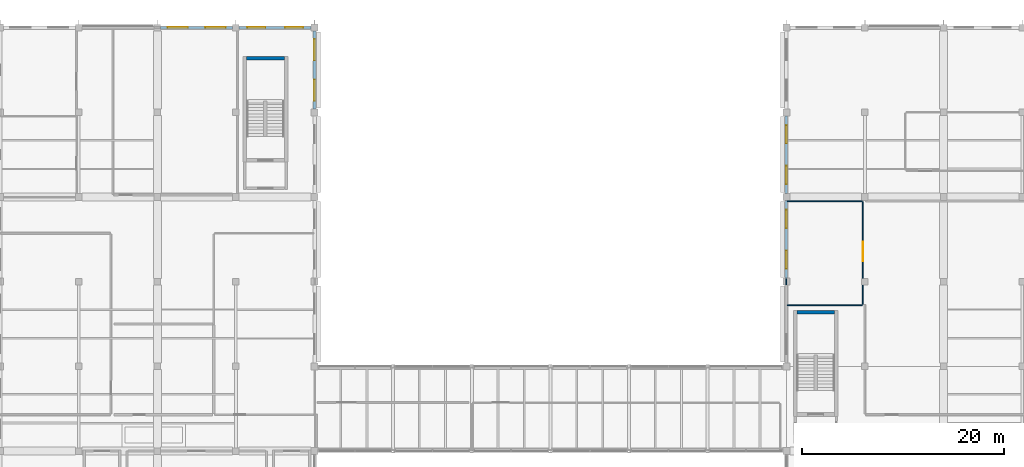
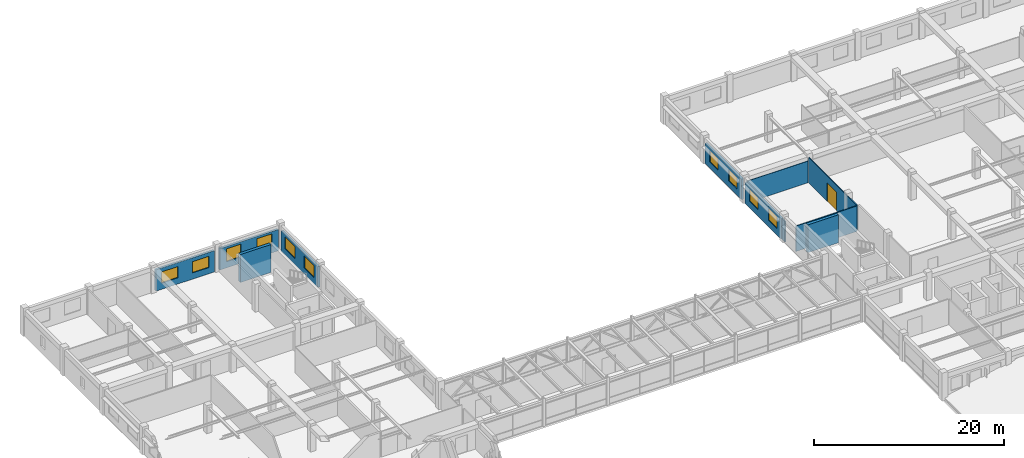
# One storey, part 44 of 49: 11 walls, 10 windows, 1 door, 11 openings.
"""IFC4 building model written with IfcOpenShell, lengths in metres."""

from ifc_helpers import new_model, si_unit, direction, frame, frame_2d, origin, place, context, subcontext, project, spatial, rectangle, extrude, material, layer, layer_set, type_object, element, fill, save


model = new_model("IFC4")

# Units and contexts
model_context = context("Model", 3, precision=1e-05, world=origin(), true_north=direction((0.0, 1.0)))
body_context = subcontext(model_context, "Body", "Model", "MODEL_VIEW")
ifc_project = project(units=[si_unit("LENGTHUNIT", "METRE"), si_unit("AREAUNIT", "SQUARE_METRE"), si_unit("VOLUMEUNIT", "CUBIC_METRE"), si_unit("PLANEANGLEUNIT", "RADIAN"), si_unit("MASSUNIT", "GRAM", prefix="KILO"), si_unit("THERMODYNAMICTEMPERATUREUNIT", "KELVIN"), si_unit("POWERUNIT", "WATT")], contexts=[model_context])

# Site, building, storey
site_placement = place(None, origin())
site = spatial("IfcSite", under=ifc_project, at=site_placement, CompositionType="ELEMENT")
building_placement = place(site_placement, origin())
building = spatial("IfcBuilding", under=site, at=building_placement, Name="Srebrne Nadtorze General Hospital", CompositionType="ELEMENT")
storey_placement = place(building_placement, frame((0.0, 0.0, 26.10009765625)))
storey = spatial("IfcBuildingStorey", under=building, at=storey_placement, Name="L06", CompositionType="ELEMENT", Elevation=26.10009765625)

# Wall, opening, door
ifc_material_1 = material(Name="Gypsum Healthcare Partition")
ifc_layer_1 = layer(ifc_material_1, 0.10009765625)
ifc_layer_set_1 = layer_set([ifc_layer_1], Name="Gypsum Healthcare Partition")
wall_type_1 = type_object("IfcWallType", Name="Shaft lining wall 100", PredefinedType="PARTITIONING", material=ifc_layer_set_1)
wall_1_placement = place(storey_placement, frame((109.0, 64.9599609375, 0.0), z_axis=(0.0, 0.0, 1.0), x_axis=(0.0, 1.0, 0.0)))
wall_1 = element("IfcWall", 1, at=wall_1_placement, inside=storey, type_object=wall_type_1, Name="Cardiopulmonary Exercise Testing Lab wall WL-INT-L06-2216", PredefinedType="PARTITIONING", context=body_context, shape_type="SweptSolid", body=[
    extrude(rectangle(XDim=10.155029296875, YDim=0.10009765625, at=frame_2d((5.07763671875, 0.0))), origin(), (0.0, 0.0, 1.0), 3.27978515625),
])
opening_1_placement = place(wall_1_placement, frame((4.27001953125, 0.0, 0.0)))
opening_1 = element("IfcOpeningElement", 2, at=opening_1_placement, cuts=wall_1, Name="Opening D-L06-0480", PredefinedType="OPENING", context=body_context, shape_type="SweptSolid", body=[
    extrude(rectangle(XDim=1.949951171875, YDim=2.35009765625, at=frame_2d((0.97509765625, 1.175048828125))), frame((0.0, 0.06201171875, 0.0), z_axis=(0.0, -1.0, 0.0), x_axis=(1.0, 0.0, 0.0)), (0.0, 0.0, 1.0), 0.1240234375),
])
ifc_material_2 = material(Name="Anodised Aluminium", Category="aluminium")
door_type = type_object("IfcDoorType", Name="Double leaf door 1950x2350", OperationType="DOUBLE_DOOR_SINGLE_SWING", PredefinedType="DOOR", material=ifc_material_2)
door_placement = place(opening_1_placement, origin())
door = element("IfcDoor", 3, at=door_placement, inside=storey, type_object=door_type, Name="Cardiopulmonary Exercise Testing Lab door D-L06-0480", OperationType="DOUBLE_DOOR_SINGLE_SWING", OverallHeight=2.35009765625, OverallWidth=1.949951171875, PredefinedType="DOOR", context=body_context, shape_type="SweptSolid", body=[
    extrude(rectangle(XDim=1.949951171875, YDim=2.35009765625, at=frame_2d((0.97509765625, 1.175048828125))), frame((0.0, 0.02490234375, 0.0), z_axis=(0.0, -1.0, 0.0), x_axis=(1.0, 0.0, 0.0)), (0.0, 0.0, 1.0), 0.050048828125),
])
fill(opening_1, door)

# Walls
wall_2_placement = place(storey_placement, frame((101.485107421875, 64.875, 0.0), z_axis=(0.0, 0.0, 1.0), x_axis=(1.0, 0.0, 0.0)))
element("IfcWall", 4, at=wall_2_placement, inside=storey, type_object=wall_type_1, Name="Cardiopulmonary Exercise Testing Lab wall WL-INT-L06-2217", PredefinedType="PARTITIONING", context=body_context, shape_type="SweptSolid", body=[
    extrude(rectangle(XDim=7.429931640625, YDim=0.10009765625, at=frame_2d((3.71484375, 0.0))), origin(), (0.0, 0.0, 1.0), 3.27978515625),
])
wall_3_placement = place(storey_placement, frame((101.485107421875, 75.199951171875, 0.0), z_axis=(0.0, 0.0, 1.0), x_axis=(1.0, 0.0, 0.0)))
element("IfcWall", 5, at=wall_3_placement, inside=storey, type_object=wall_type_1, Name="Cardiopulmonary Exercise Testing Lab wall WL-INT-L06-2218", PredefinedType="PARTITIONING", context=body_context, shape_type="SweptSolid", body=[
    extrude(rectangle(XDim=7.429931640625, YDim=0.10009765625, at=frame_2d((3.71484375, 0.0))), origin(), (0.0, 0.0, 1.0), 2.7998046875),
])
wall_4_placement = place(storey_placement, frame((101.39990234375, 66.889892578125, 0.0), z_axis=(0.0, 0.0, 1.0), x_axis=(0.0, 1.0, 0.0)))
element("IfcWall", 6, at=wall_4_placement, inside=storey, type_object=wall_type_1, Name="Cardiopulmonary Exercise Testing Lab wall WL-INT-L06-2219", PredefinedType="PARTITIONING", context=body_context, shape_type="SweptSolid", body=[
    extrude(rectangle(XDim=0.6201171875, YDim=0.10009765625, at=frame_2d((0.31005859375, 0.0))), origin(), (0.0, 0.0, 1.0), 2.64990234375),
])
ifc_material_3 = material(Name="Concrete C40/50", Category="concrete")
ifc_layer_2 = layer(ifc_material_3, 0.35009765625)
ifc_layer_set_2 = layer_set([ifc_layer_2], Name="Concrete C40/50")
wall_type_2 = type_object("IfcWallType", Name="Shear core wall 350", PredefinedType="SHEAR", material=ifc_layer_set_2)
for number, where, z_axis, x_axis, name in (
    (7, (47.85009765625, 89.375, 0.0), (0.0, 0.0, 1.0), (1.0, 0.0, 0.0), "Stair core wall ST-02 WL-INT-L06-0387"),
    (8, (102.449951171875, 64.175048828125, 0.0), (0.0, 0.0, 1.0), (1.0, 0.0, 0.0), "Stair core wall ST-03 WL-INT-L06-0395"),
):
    element("IfcWall", number, at=place(storey_placement, frame(where, z_axis=z_axis, x_axis=x_axis)), inside=storey, type_object=wall_type_2, Name=name, PredefinedType="SHEAR", context=body_context, shape_type="SweptSolid", body=[
        extrude(rectangle(XDim=3.75, YDim=0.35009765625, at=frame_2d((1.875, 0.0))), origin(), (0.0, 0.0, 1.0), 3.599853515625),
    ])

# Wall, openings, windows
ifc_material_4 = material(Name="Concrete C35/45 precast", Category="concrete")
ifc_layer_3 = layer(ifc_material_4, 0.260009765625)
ifc_layer_set_3 = layer_set([ifc_layer_3], Name="Concrete C35/45 precast")
wall_type_3 = type_object("IfcWallType", Name="Spandrel wall 260", PredefinedType="STANDARD", material=ifc_layer_set_3)
wall_5_placement = place(storey_placement, frame((39.324951171875, 92.39990234375, 0.0), z_axis=(0.0, 0.0, 1.0), x_axis=(1.0, 0.0, 0.0)))
wall_5 = element("IfcWall", 9, at=wall_5_placement, inside=storey, type_object=wall_type_3, Name="Exterior wall WL-ENV-L06-0472", PredefinedType="STANDARD", context=body_context, shape_type="SweptSolid", body=[
    extrude(rectangle(XDim=7.150146484375, YDim=0.260009765625, at=frame_2d((3.5751953125, 0.0))), origin(), (0.0, 0.0, 1.0), 2.75),
])
opening_2_placement = place(wall_5_placement, frame((0.702880859375, 0.0, 0.800048828125)))
opening_2 = element("IfcOpeningElement", 10, at=opening_2_placement, cuts=wall_5, Name="Opening WN-L06-0781", PredefinedType="OPENING", context=body_context, shape_type="SweptSolid", body=[
    extrude(rectangle(XDim=2.0, YDim=1.449951171875, at=frame_2d((1.0, 0.72509765625))), frame((0.0, 0.14208984375, 0.0), z_axis=(0.0, -1.0, 0.0), x_axis=(1.0, 0.0, 0.0)), (0.0, 0.0, 1.0), 0.283935546875),
])
opening_3_placement = place(wall_5_placement, frame((4.447021484375, 0.0, 0.800048828125)))
opening_3 = element("IfcOpeningElement", 11, at=opening_3_placement, cuts=wall_5, Name="Opening WN-L06-0782", PredefinedType="OPENING", context=body_context, shape_type="SweptSolid", body=[
    extrude(rectangle(XDim=2.0, YDim=1.449951171875, at=frame_2d((1.0, 0.72509765625))), frame((0.0, 0.14208984375, 0.0), z_axis=(0.0, -1.0, 0.0), x_axis=(1.0, 0.0, 0.0)), (0.0, 0.0, 1.0), 0.283935546875),
])
ifc_material_5 = material(Name="Triple Low-E Glazing", Category="glass")
window_type_1 = type_object("IfcWindowType", Name="Punched clinical window 2000x1450", PartitioningType="DOUBLE_PANEL_VERTICAL", PredefinedType="WINDOW", material=ifc_material_5)
window_1_placement = place(opening_2_placement, origin())
window_1 = element("IfcWindow", 12, at=window_1_placement, inside=storey, type_object=window_type_1, Name="Clinical window WN-L06-0781", OverallHeight=1.449951171875, OverallWidth=2.0, PartitioningType="DOUBLE_PANEL_VERTICAL", PredefinedType="WINDOW", context=body_context, shape_type="SweptSolid", body=[
    extrude(rectangle(XDim=2.0, YDim=1.449951171875, at=frame_2d((1.0, 0.72509765625))), frame((0.0, 0.030029296875, 0.0), z_axis=(0.0, -1.0, 0.0), x_axis=(1.0, 0.0, 0.0)), (0.0, 0.0, 1.0), 0.06005859375),
])
fill(opening_2, window_1)
window_2_placement = place(opening_3_placement, origin())
window_2 = element("IfcWindow", 13, at=window_2_placement, inside=storey, type_object=window_type_1, Name="Clinical window WN-L06-0782", OverallHeight=1.449951171875, OverallWidth=2.0, PartitioningType="DOUBLE_PANEL_VERTICAL", PredefinedType="WINDOW", context=body_context, shape_type="SweptSolid", body=[
    extrude(rectangle(XDim=2.0, YDim=1.449951171875, at=frame_2d((1.0, 0.72509765625))), frame((0.0, 0.030029296875, 0.0), z_axis=(0.0, -1.0, 0.0), x_axis=(1.0, 0.0, 0.0)), (0.0, 0.0, 1.0), 0.06005859375),
])
fill(opening_3, window_2)

wall_6_placement = place(storey_placement, frame((47.125, 92.39990234375, 0.0), z_axis=(0.0, 0.0, 1.0), x_axis=(1.0, 0.0, 0.0)))
wall_6 = element("IfcWall", 14, at=wall_6_placement, inside=storey, type_object=wall_type_3, Name="Exterior wall WL-ENV-L06-0473", PredefinedType="STANDARD", context=body_context, shape_type="SweptSolid", body=[
    extrude(rectangle(XDim=7.125, YDim=0.260009765625, at=frame_2d((3.5625, 0.0))), origin(), (0.0, 0.0, 1.0), 2.75),
])
opening_4_placement = place(wall_6_placement, frame((0.802978515625, 0.0, 0.800048828125)))
opening_4 = element("IfcOpeningElement", 15, at=opening_4_placement, cuts=wall_6, Name="Opening WN-L06-0783", PredefinedType="OPENING", context=body_context, shape_type="SweptSolid", body=[
    extrude(rectangle(XDim=1.800048828125, YDim=1.64990234375, at=frame_2d((0.89990234375, 0.824951171875))), frame((0.0, 0.14208984375, 0.0), z_axis=(0.0, -1.0, 0.0), x_axis=(1.0, 0.0, 0.0)), (0.0, 0.0, 1.0), 0.283935546875),
])
opening_5_placement = place(wall_6_placement, frame((4.547119140625, 0.0, 0.800048828125)))
opening_5 = element("IfcOpeningElement", 16, at=opening_5_placement, cuts=wall_6, Name="Opening WN-L06-0784", PredefinedType="OPENING", context=body_context, shape_type="SweptSolid", body=[
    extrude(rectangle(XDim=1.800048828125, YDim=1.64990234375, at=frame_2d((0.89990234375, 0.824951171875))), frame((0.0, 0.14208984375, 0.0), z_axis=(0.0, -1.0, 0.0), x_axis=(1.0, 0.0, 0.0)), (0.0, 0.0, 1.0), 0.283935546875),
])
ifc_material_6 = material(Name="Triple Low-E Glazing", Category="glass")
window_type_2 = type_object("IfcWindowType", Name="Punched clinical window 1800x1650", PartitioningType="DOUBLE_PANEL_VERTICAL", PredefinedType="WINDOW", material=ifc_material_6)
window_3_placement = place(opening_4_placement, origin())
window_3 = element("IfcWindow", 17, at=window_3_placement, inside=storey, type_object=window_type_2, Name="Clinical window WN-L06-0783", OverallHeight=1.64990234375, OverallWidth=1.800048828125, PartitioningType="DOUBLE_PANEL_VERTICAL", PredefinedType="WINDOW", context=body_context, shape_type="SweptSolid", body=[
    extrude(rectangle(XDim=1.800048828125, YDim=1.64990234375, at=frame_2d((0.89990234375, 0.824951171875))), frame((0.0, 0.030029296875, 0.0), z_axis=(0.0, -1.0, 0.0), x_axis=(1.0, 0.0, 0.0)), (0.0, 0.0, 1.0), 0.06005859375),
])
fill(opening_4, window_3)
window_4_placement = place(opening_5_placement, origin())
window_4 = element("IfcWindow", 18, at=window_4_placement, inside=storey, type_object=window_type_2, Name="Clinical window WN-L06-0784", OverallHeight=1.64990234375, OverallWidth=1.800048828125, PartitioningType="DOUBLE_PANEL_VERTICAL", PredefinedType="WINDOW", context=body_context, shape_type="SweptSolid", body=[
    extrude(rectangle(XDim=1.800048828125, YDim=1.64990234375, at=frame_2d((0.89990234375, 0.824951171875))), frame((0.0, 0.030029296875, 0.0), z_axis=(0.0, -1.0, 0.0), x_axis=(1.0, 0.0, 0.0)), (0.0, 0.0, 1.0), 0.06005859375),
])
fill(opening_5, window_4)

wall_7_placement = place(storey_placement, frame((54.60009765625, 84.35009765625, 0.0), z_axis=(0.0, 0.0, 1.0), x_axis=(0.0, 1.0, 0.0)))
wall_7 = element("IfcWall", 19, at=wall_7_placement, inside=storey, type_object=wall_type_3, Name="Exterior wall WL-ENV-L06-0494", PredefinedType="STANDARD", context=body_context, shape_type="SweptSolid", body=[
    extrude(rectangle(XDim=7.699951171875, YDim=0.260009765625, at=frame_2d((3.85009765625, 0.0))), origin(), (0.0, 0.0, 1.0), 2.64990234375),
])
opening_6_placement = place(wall_7_placement, frame((0.783935546875, 0.0, 0.800048828125)))
opening_6 = element("IfcOpeningElement", 20, at=opening_6_placement, cuts=wall_7, Name="Opening WN-L06-0819", PredefinedType="OPENING", context=body_context, shape_type="SweptSolid", body=[
    extrude(rectangle(XDim=2.10009765625, YDim=1.550048828125, at=frame_2d((1.050048828125, 0.77490234375))), frame((0.0, 0.14208984375, 0.0), z_axis=(0.0, -1.0, 0.0), x_axis=(1.0, 0.0, 0.0)), (0.0, 0.0, 1.0), 0.283935546875),
])
opening_7_placement = place(wall_7_placement, frame((4.81591796875, 0.0, 0.800048828125)))
opening_7 = element("IfcOpeningElement", 21, at=opening_7_placement, cuts=wall_7, Name="Opening WN-L06-0820", PredefinedType="OPENING", context=body_context, shape_type="SweptSolid", body=[
    extrude(rectangle(XDim=2.10009765625, YDim=1.550048828125, at=frame_2d((1.050048828125, 0.77490234375))), frame((0.0, 0.14208984375, 0.0), z_axis=(0.0, -1.0, 0.0), x_axis=(1.0, 0.0, 0.0)), (0.0, 0.0, 1.0), 0.283935546875),
])
ifc_material_7 = material(Name="Triple Low-E Glazing", Category="glass")
window_type_3 = type_object("IfcWindowType", Name="Punched clinical window 2100x1550", PartitioningType="DOUBLE_PANEL_VERTICAL", PredefinedType="WINDOW", material=ifc_material_7)
window_5_placement = place(opening_6_placement, origin())
window_5 = element("IfcWindow", 22, at=window_5_placement, inside=storey, type_object=window_type_3, Name="Clinical window WN-L06-0819", OverallHeight=1.550048828125, OverallWidth=2.10009765625, PartitioningType="DOUBLE_PANEL_VERTICAL", PredefinedType="WINDOW", context=body_context, shape_type="SweptSolid", body=[
    extrude(rectangle(XDim=2.10009765625, YDim=1.550048828125, at=frame_2d((1.050048828125, 0.77490234375))), frame((0.0, 0.030029296875, 0.0), z_axis=(0.0, -1.0, 0.0), x_axis=(1.0, 0.0, 0.0)), (0.0, 0.0, 1.0), 0.06005859375),
])
fill(opening_6, window_5)
window_6_placement = place(opening_7_placement, origin())
window_6 = element("IfcWindow", 23, at=window_6_placement, inside=storey, type_object=window_type_3, Name="Clinical window WN-L06-0820", OverallHeight=1.550048828125, OverallWidth=2.10009765625, PartitioningType="DOUBLE_PANEL_VERTICAL", PredefinedType="WINDOW", context=body_context, shape_type="SweptSolid", body=[
    extrude(rectangle(XDim=2.10009765625, YDim=1.550048828125, at=frame_2d((1.050048828125, 0.77490234375))), frame((0.0, 0.030029296875, 0.0), z_axis=(0.0, -1.0, 0.0), x_axis=(1.0, 0.0, 0.0)), (0.0, 0.0, 1.0), 0.06005859375),
])
fill(opening_7, window_6)

wall_8_placement = place(storey_placement, frame((101.39990234375, 67.550048828125, 0.0), z_axis=(0.0, 0.0, 1.0), x_axis=(0.0, 1.0, 0.0)))
wall_8 = element("IfcWall", 24, at=wall_8_placement, inside=storey, type_object=wall_type_3, Name="Exterior wall WL-ENV-L06-0496", PredefinedType="STANDARD", context=body_context, shape_type="SweptSolid", body=[
    extrude(rectangle(XDim=7.699951171875, YDim=0.260009765625, at=frame_2d((3.85009765625, 0.0))), origin(), (0.0, 0.0, 1.0), 2.64990234375),
])
opening_8_placement = place(wall_8_placement, frame((0.93408203125, 0.0, 0.800048828125)))
opening_8 = element("IfcOpeningElement", 25, at=opening_8_placement, cuts=wall_8, Name="Opening WN-L06-0822", PredefinedType="OPENING", context=body_context, shape_type="SweptSolid", body=[
    extrude(rectangle(XDim=1.800048828125, YDim=1.550048828125, at=frame_2d((0.89990234375, 0.77490234375))), frame((0.0, 0.14208984375, 0.0), z_axis=(0.0, -1.0, 0.0), x_axis=(1.0, 0.0, 0.0)), (0.0, 0.0, 1.0), 0.283935546875),
])
opening_9_placement = place(wall_8_placement, frame((4.966064453125, 0.0, 0.800048828125)))
opening_9 = element("IfcOpeningElement", 26, at=opening_9_placement, cuts=wall_8, Name="Opening WN-L06-0823", PredefinedType="OPENING", context=body_context, shape_type="SweptSolid", body=[
    extrude(rectangle(XDim=1.800048828125, YDim=1.550048828125, at=frame_2d((0.89990234375, 0.77490234375))), frame((0.0, 0.14208984375, 0.0), z_axis=(0.0, -1.0, 0.0), x_axis=(1.0, 0.0, 0.0)), (0.0, 0.0, 1.0), 0.283935546875),
])
ifc_material_8 = material(Name="Triple Low-E Glazing", Category="glass")
window_type_4 = type_object("IfcWindowType", Name="Punched clinical window 1800x1550", PartitioningType="DOUBLE_PANEL_VERTICAL", PredefinedType="WINDOW", material=ifc_material_8)
window_7_placement = place(opening_8_placement, origin())
window_7 = element("IfcWindow", 27, at=window_7_placement, inside=storey, type_object=window_type_4, Name="Clinical window WN-L06-0822", OverallHeight=1.550048828125, OverallWidth=1.800048828125, PartitioningType="DOUBLE_PANEL_VERTICAL", PredefinedType="WINDOW", context=body_context, shape_type="SweptSolid", body=[
    extrude(rectangle(XDim=1.800048828125, YDim=1.550048828125, at=frame_2d((0.89990234375, 0.77490234375))), frame((0.0, 0.030029296875, 0.0), z_axis=(0.0, -1.0, 0.0), x_axis=(1.0, 0.0, 0.0)), (0.0, 0.0, 1.0), 0.06005859375),
])
fill(opening_8, window_7)
window_8_placement = place(opening_9_placement, origin())
window_8 = element("IfcWindow", 28, at=window_8_placement, inside=storey, type_object=window_type_4, Name="Clinical window WN-L06-0823", OverallHeight=1.550048828125, OverallWidth=1.800048828125, PartitioningType="DOUBLE_PANEL_VERTICAL", PredefinedType="WINDOW", context=body_context, shape_type="SweptSolid", body=[
    extrude(rectangle(XDim=1.800048828125, YDim=1.550048828125, at=frame_2d((0.89990234375, 0.77490234375))), frame((0.0, 0.030029296875, 0.0), z_axis=(0.0, -1.0, 0.0), x_axis=(1.0, 0.0, 0.0)), (0.0, 0.0, 1.0), 0.06005859375),
])
fill(opening_9, window_8)

wall_9_placement = place(storey_placement, frame((101.39990234375, 75.949951171875, 0.0), z_axis=(0.0, 0.0, 1.0), x_axis=(0.0, 1.0, 0.0)))
wall_9 = element("IfcWall", 29, at=wall_9_placement, inside=storey, type_object=wall_type_3, Name="Exterior wall WL-ENV-L06-0497", PredefinedType="STANDARD", context=body_context, shape_type="SweptSolid", body=[
    extrude(rectangle(XDim=7.699951171875, YDim=0.260009765625, at=frame_2d((3.85009765625, 0.0))), origin(), (0.0, 0.0, 1.0), 2.64990234375),
])
opening_10_placement = place(wall_9_placement, frame((0.93408203125, 0.0, 0.800048828125)))
opening_10 = element("IfcOpeningElement", 30, at=opening_10_placement, cuts=wall_9, Name="Opening WN-L06-0824", PredefinedType="OPENING", context=body_context, shape_type="SweptSolid", body=[
    extrude(rectangle(XDim=1.800048828125, YDim=1.449951171875, at=frame_2d((0.89990234375, 0.72509765625))), frame((0.0, 0.14208984375, 0.0), z_axis=(0.0, -1.0, 0.0), x_axis=(1.0, 0.0, 0.0)), (0.0, 0.0, 1.0), 0.283935546875),
])
opening_11_placement = place(wall_9_placement, frame((4.966064453125, 0.0, 0.800048828125)))
opening_11 = element("IfcOpeningElement", 31, at=opening_11_placement, cuts=wall_9, Name="Opening WN-L06-0825", PredefinedType="OPENING", context=body_context, shape_type="SweptSolid", body=[
    extrude(rectangle(XDim=1.800048828125, YDim=1.449951171875, at=frame_2d((0.89990234375, 0.72509765625))), frame((0.0, 0.14208984375, 0.0), z_axis=(0.0, -1.0, 0.0), x_axis=(1.0, 0.0, 0.0)), (0.0, 0.0, 1.0), 0.283935546875),
])
ifc_material_9 = material(Name="Triple Low-E Glazing", Category="glass")
window_type_5 = type_object("IfcWindowType", Name="Punched clinical window 1800x1450", PartitioningType="DOUBLE_PANEL_VERTICAL", PredefinedType="WINDOW", material=ifc_material_9)
window_9_placement = place(opening_10_placement, origin())
window_9 = element("IfcWindow", 32, at=window_9_placement, inside=storey, type_object=window_type_5, Name="Clinical window WN-L06-0824", OverallHeight=1.449951171875, OverallWidth=1.800048828125, PartitioningType="DOUBLE_PANEL_VERTICAL", PredefinedType="WINDOW", context=body_context, shape_type="SweptSolid", body=[
    extrude(rectangle(XDim=1.800048828125, YDim=1.449951171875, at=frame_2d((0.89990234375, 0.72509765625))), frame((0.0, 0.030029296875, 0.0), z_axis=(0.0, -1.0, 0.0), x_axis=(1.0, 0.0, 0.0)), (0.0, 0.0, 1.0), 0.06005859375),
])
fill(opening_10, window_9)
window_10_placement = place(opening_11_placement, origin())
window_10 = element("IfcWindow", 33, at=window_10_placement, inside=storey, type_object=window_type_5, Name="Clinical window WN-L06-0825", OverallHeight=1.449951171875, OverallWidth=1.800048828125, PartitioningType="DOUBLE_PANEL_VERTICAL", PredefinedType="WINDOW", context=body_context, shape_type="SweptSolid", body=[
    extrude(rectangle(XDim=1.800048828125, YDim=1.449951171875, at=frame_2d((0.89990234375, 0.72509765625))), frame((0.0, 0.030029296875, 0.0), z_axis=(0.0, -1.0, 0.0), x_axis=(1.0, 0.0, 0.0)), (0.0, 0.0, 1.0), 0.06005859375),
])
fill(opening_11, window_10)

save(model, "model.ifc")
